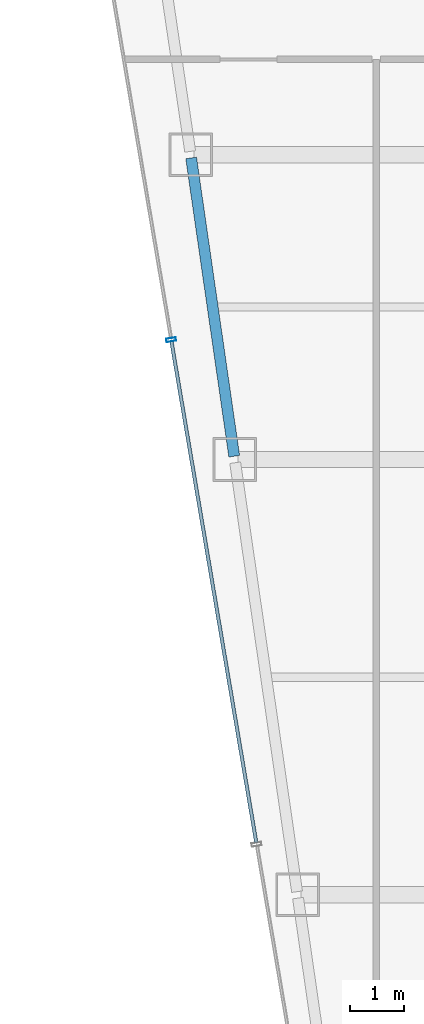
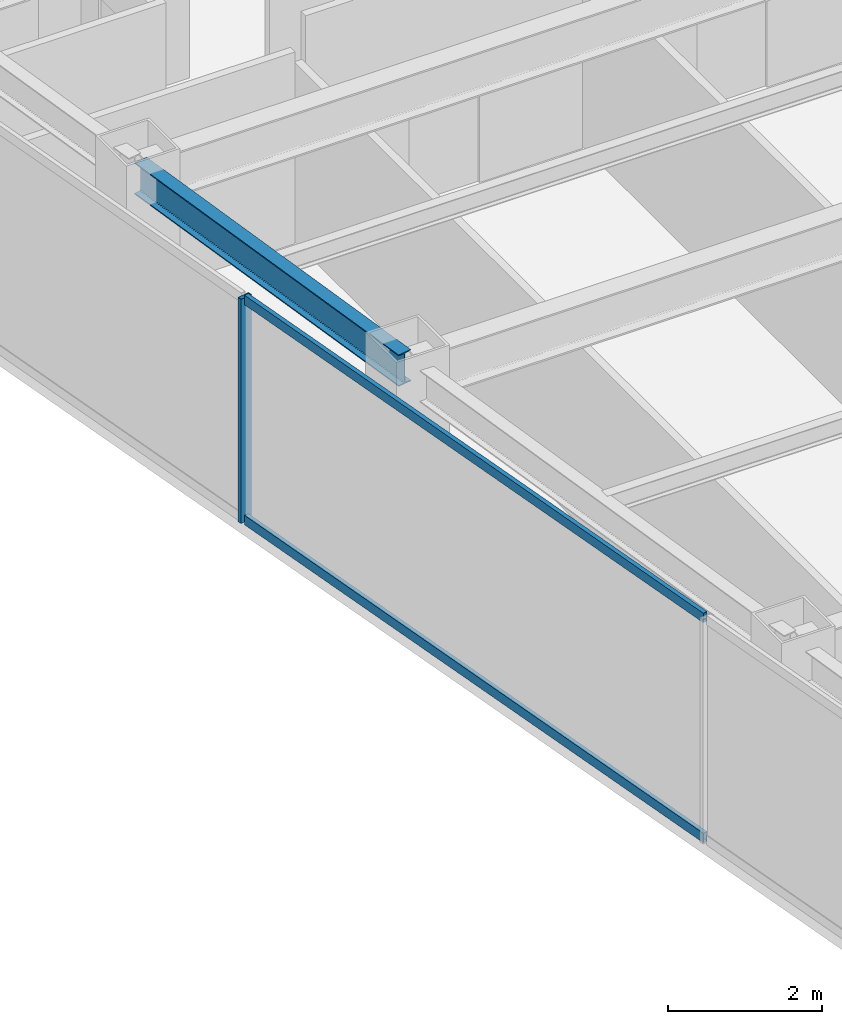
# One storey, part 9 of 35: 3 members, 1 beam, 1 element without a shape of its own.
"""IFC4 building model written with IfcOpenShell, lengths in metres."""

from ifc_helpers import new_model, si_unit, direction, frame, origin, origin_2d, place, context, subcontext, project, spatial, hollow_rectangle, i_section, extrude, material, material_profile, profile_set, type_object, element, aggregate, save


model = new_model("IFC4")

# Units and contexts
model_context = context("Model", 3, precision=1e-05, world=origin(), true_north=direction((0.0, 1.0)))
body_context = subcontext(model_context, "Body", "Model", "MODEL_VIEW")
ifc_project = project(units=[si_unit("LENGTHUNIT", "METRE"), si_unit("AREAUNIT", "SQUARE_METRE"), si_unit("VOLUMEUNIT", "CUBIC_METRE"), si_unit("PLANEANGLEUNIT", "RADIAN"), si_unit("MASSUNIT", "GRAM", prefix="KILO")], contexts=[model_context])

# Site, building, storey
site_placement = place(None, origin())
site = spatial("IfcSite", under=ifc_project, at=site_placement, CompositionType="ELEMENT")
building_placement = place(site_placement, origin())
building = spatial("IfcBuilding", under=site, at=building_placement, Name="Saevonmaru Cultural Tower", CompositionType="ELEMENT")
storey_placement = place(building_placement, frame((0.0, 0.0, 194.199951171875)))
storey = spatial("IfcBuildingStorey", under=building, at=storey_placement, Name="L44", CompositionType="ELEMENT", Elevation=194.199951171875)

# Beam
ifc_material_1 = material(Name="Steel SM355", Category="steel")
ifc_material_profile_1 = material_profile(ifc_material_1, i_section(OverallWidth=0.199951171875, OverallDepth=0.5, WebThickness=0.010009765625, FlangeThickness=0.01611328125, FilletRadius=0.02001953125, at=origin_2d()), Name="H-500x200x10x16")
ifc_profile_set_1 = profile_set([ifc_material_profile_1], Name="Steel SM355")
beam_type = type_object("IfcBeamType", Name="BM-SP-H500", PredefinedType="SPANDREL", material=ifc_profile_set_1)
beam_placement = place(storey_placement, frame((8.308349609375, 32.059326171875, 3.300048828125), z_axis=(-0.142964121327, 0.989727871697, 0.0), x_axis=(-0.989727871697, -0.142964121327, 0.0)))
element("IfcBeam", 1, at=beam_placement, inside=storey, type_object=beam_type, Name="L44 West Splayed Spandrel 3", PredefinedType="SPANDREL", context=body_context, shape_type="SweptSolid", body=[
    extrude(i_section(OverallWidth=0.199951171875, OverallDepth=0.5, WebThickness=0.010009765625, FlangeThickness=0.01611328125, FilletRadius=0.02001953125, at=origin_2d()), origin(), (0.0, 0.0, 1.0), 5.5380859375),
])

# Curtain wall, members
ifc_material_2 = material(Name="Satin Bronze Anodised Aluminium", Category="aluminium")
curtain_wall_type = type_object("IfcCurtainWallType", Name="CW-TYP-B", PredefinedType="NOTDEFINED", material=ifc_material_2)
curtain_wall_placement = place(storey_placement, origin())
curtain_wall = element("IfcCurtainWall", 2, at=curtain_wall_placement, inside=storey, type_object=curtain_wall_type, Name="L44 Unitised Curtain Wall E12", PredefinedType="NOTDEFINED")
ifc_material_profile_2 = material_profile(ifc_material_2, hollow_rectangle(XDim=0.06494140625, YDim=0.179931640625, WallThickness=0.00390625, at=origin_2d()), Name="ALU-MULL-180x65x4")
ifc_profile_set_2 = profile_set([ifc_material_profile_2], Name="Satin Bronze Anodised Aluminium")
member_type_1 = type_object("IfcMemberType", Name="ML-CW-180x65", PredefinedType="MULLION", material=ifc_profile_set_2)
member_1_placement = place(storey_placement, frame((7.14892578125, 34.199951171875, 0.0), z_axis=(0.0, 0.0, 1.0), x_axis=(0.16692169721, -0.985970155228, 0.0)))
member_1 = element("IfcMember", 3, at=member_1_placement, type_object=member_type_1, Name="CW-TW-L44-E12 mullion 3", PredefinedType="MULLION", context=body_context, shape_type="SweptSolid", body=[
    extrude(hollow_rectangle(XDim=0.06494140625, YDim=0.179931640625, WallThickness=0.00390625, at=origin_2d()), origin(), (0.0, 0.0, 1.0), 3.550048828125),
])
ifc_material_profile_3 = material_profile(ifc_material_2, hollow_rectangle(XDim=0.06494140625, YDim=0.14990234375, WallThickness=0.00390625, at=origin_2d()), Name="ALU-TRAN-150x65x4")
ifc_profile_set_3 = profile_set([ifc_material_profile_3], Name="Satin Bronze Anodised Aluminium")
member_type_2 = type_object("IfcMemberType", Name="TR-CW-150x65", PredefinedType="USERDEFINED", material=ifc_profile_set_3)
member_2_placement = place(storey_placement, frame((7.154296875, 34.16796875, 0.032470703125), z_axis=(0.166921263871, -0.985970228591, 0.0), x_axis=(0.985970228591, 0.166921263871, 0.0)))
member_2 = element("IfcMember", 4, at=member_2_placement, type_object=member_type_2, Name="CW-TW-L44-E12 transom 3.1", ObjectType="TRANSOM", PredefinedType="USERDEFINED", context=body_context, shape_type="SweptSolid", body=[
    extrude(hollow_rectangle(XDim=0.06494140625, YDim=0.14990234375, WallThickness=0.00390625, at=origin_2d()), origin(), (0.0, 0.0, 1.0), 9.33740234375),
])
member_3_placement = place(storey_placement, frame((7.154296875, 34.16796875, 3.517578125), z_axis=(0.166921263871, -0.985970228591, 0.0), x_axis=(0.985970228591, 0.166921263871, 0.0)))
member_3 = element("IfcMember", 5, at=member_3_placement, type_object=member_type_2, Name="CW-TW-L44-E12 transom 3.2", ObjectType="TRANSOM", PredefinedType="USERDEFINED", context=body_context, shape_type="SweptSolid", body=[
    extrude(hollow_rectangle(XDim=0.06494140625, YDim=0.14990234375, WallThickness=0.00390625, at=origin_2d()), origin(), (0.0, 0.0, 1.0), 9.33740234375),
])
aggregate(curtain_wall, [member_1, member_2, member_3])

save(model, "model.ifc")
